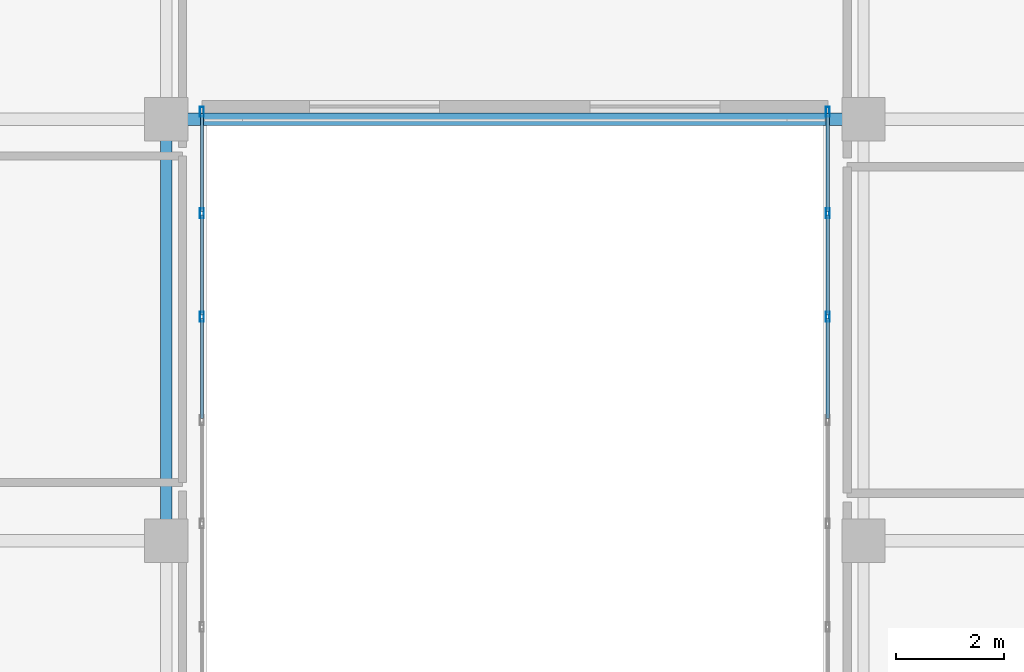
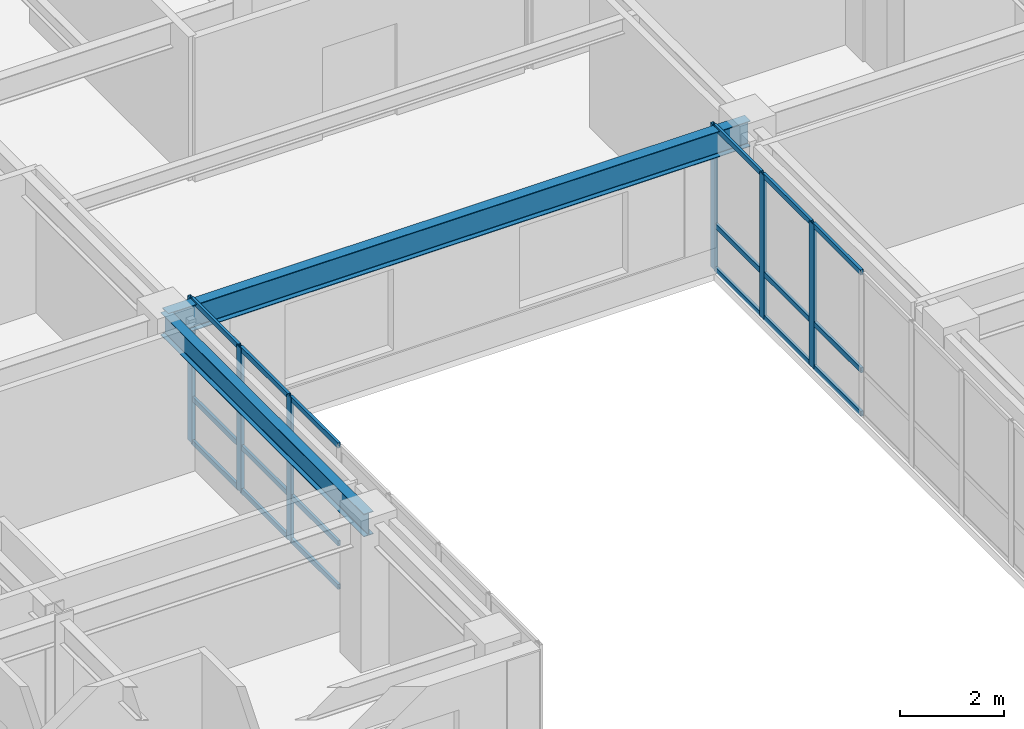
# One storey, part 8 of 28: 24 members, 2 beams, 2 elements without a shape of their own.
"""IFC4 building model written with IfcOpenShell, lengths in metres."""

from ifc_helpers import new_model, si_unit, direction, frame, origin, origin_2d, place, context, subcontext, project, spatial, hollow_rectangle, i_section, extrude, source, transform, mapped, material, layer, layer_set, material_profile, profile_set, type_object, type_shapes, element, aggregate, save


model = new_model("IFC4")

# Units and contexts
model_context = context("Model", 3, precision=1e-05, world=origin(), true_north=direction((0.0, 1.0)))
body_context = subcontext(model_context, "Body", "Model", "MODEL_VIEW")
ifc_project = project(units=[si_unit("LENGTHUNIT", "METRE"), si_unit("AREAUNIT", "SQUARE_METRE"), si_unit("VOLUMEUNIT", "CUBIC_METRE"), si_unit("PLANEANGLEUNIT", "RADIAN"), si_unit("MASSUNIT", "GRAM", prefix="KILO")], contexts=[model_context])

# Site, building, storey
site_placement = place(None, origin())
site = spatial("IfcSite", under=ifc_project, at=site_placement, CompositionType="ELEMENT")
building_placement = place(site_placement, origin())
building = spatial("IfcBuilding", under=site, at=building_placement, Name="Tolvann Quenvar Hotel", CompositionType="ELEMENT")
storey_placement = place(building_placement, frame((0.0, 0.0, 198.199951171875)))
storey = spatial("IfcBuildingStorey", under=building, at=storey_placement, Name="L52", CompositionType="ELEMENT", Elevation=198.199951171875)

# Beams
ifc_material_1 = material(Name="Steel Grade 350", Category="steel")
ifc_material_profile_1 = material_profile(ifc_material_1, i_section(OverallWidth=0.208984375, OverallDepth=0.532958984375, WebThickness=0.01025390625, FlangeThickness=0.015625, FilletRadius=0.013916015625, at=origin_2d()), Name="530UB92")
ifc_profile_set_1 = profile_set([ifc_material_profile_1], Name="Steel Grade 350")
beam_type_1 = type_object("IfcBeamType", Name="BM_GIRD_530UB92", PredefinedType="BEAM", material=ifc_profile_set_1)
shared_shape_1 = source(origin(), body_context, "Body", "SweptSolid", [
    extrude(i_section(OverallWidth=0.208984375, OverallDepth=0.532958984375, WebThickness=0.01025390625, FlangeThickness=0.015625, FilletRadius=0.013916015625, at=origin_2d()), origin(), (0.0, 0.0, 1.0), 7.800048828125),
])
type_shapes(beam_type_1, [shared_shape_1])
beam_1_placement = place(storey_placement, frame((22.050048828125, 8.199951171875, 3.103515625), z_axis=(0.0, 1.0, 0.0), x_axis=(-1.0, 0.0, 0.0)))
element("IfcBeam", 1, at=beam_1_placement, inside=storey, type_object=beam_type_1, Name="BM-L52-NS-E3-E4", PredefinedType="BEAM", context=body_context, shape_type="MappedRepresentation", body=[
    mapped(shared_shape_1, transform((0.0, 0.0, 0.0), x_axis=(1.0, 0.0, 0.0), y_axis=(0.0, 1.0, 0.0), z_axis=(0.0, 0.0, 1.0), scale=1.0)),
])
ifc_material_profile_2 = material_profile(ifc_material_1, i_section(OverallWidth=0.22802734375, OverallDepth=0.60205078125, WebThickness=0.010498046875, FlangeThickness=0.014892578125, FilletRadius=0.013916015625, at=origin_2d()), Name="610UB101")
ifc_profile_set_2 = profile_set([ifc_material_profile_2], Name="Steel Grade 350")
beam_type_2 = type_object("IfcBeamType", Name="BM_GIRD_610UB101", PredefinedType="BEAM", material=ifc_profile_set_2)
shared_shape_2 = source(origin(), body_context, "Body", "SweptSolid", [
    extrude(i_section(OverallWidth=0.22802734375, OverallDepth=0.60205078125, WebThickness=0.010498046875, FlangeThickness=0.014892578125, FilletRadius=0.013916015625, at=origin_2d()), origin(), (0.0, 0.0, 1.0), 12.89990234375),
])
type_shapes(beam_type_2, [shared_shape_2])
beam_2_placement = place(storey_placement, frame((22.050048828125, 16.0, 3.069091796875), z_axis=(1.0, 0.0, 0.0), x_axis=(0.0, 1.0, 0.0)))
element("IfcBeam", 2, at=beam_2_placement, inside=storey, type_object=beam_type_2, Name="BM-L52-EW-4-E4-F4", PredefinedType="BEAM", context=body_context, shape_type="MappedRepresentation", body=[
    mapped(shared_shape_2, transform((0.0, 0.0, 0.0), x_axis=(1.0, 0.0, 0.0), y_axis=(0.0, 1.0, 0.0), z_axis=(0.0, 0.0, 1.0), scale=1.0)),
])

# Curtain wall, members
ifc_material_2 = material(Name="Thermally broken anodised architectural aluminium 6063-T6 and laminated low-E glass", Category="aluminium")
ifc_layer = layer(ifc_material_2, 0.179931640625)
ifc_layer_set = layer_set([ifc_layer], Name="Thermally broken anodised architectural aluminium 6063-T6 and laminated low-E glass")
curtain_wall_type = type_object("IfcCurtainWallType", Name="CW_SYS_SLOT_03", PredefinedType="USERDEFINED", material=ifc_layer_set)
curtain_wall_1_placement = place(storey_placement, origin())
curtain_wall_1 = element("IfcCurtainWall", 3, at=curtain_wall_1_placement, inside=storey, type_object=curtain_wall_type, Name="Curtain Wall CW-SLOT-03 (CWR-L52-E05)", ObjectType="UNITISED CURTAIN WALL", PredefinedType="USERDEFINED")
ifc_material_3 = material(Name="Anodised architectural aluminium 6063-T6 framing", Category="aluminium")
ifc_material_profile_3 = material_profile(ifc_material_3, hollow_rectangle(XDim=0.070068359375, YDim=0.179931640625, WallThickness=0.00390625, at=origin_2d()), Name="180x70x4RHS")
ifc_profile_set_3 = profile_set([ifc_material_profile_3], Name="Anodised architectural aluminium 6063-T6 framing")
member_type_1 = type_object("IfcMemberType", Name="CW_MULL_180x70", PredefinedType="MULLION", material=ifc_profile_set_3)
shared_shape_3 = source(origin(), body_context, "Body", "SweptSolid", [
    extrude(hollow_rectangle(XDim=0.070068359375, YDim=0.179931640625, WallThickness=0.00390625, at=origin_2d()), origin(), (0.0, 0.0, 1.0), 3.3701171875),
])
type_shapes(member_type_1, [shared_shape_3])
member_1_placement = place(storey_placement, frame((22.7099609375, 12.346435546875, 0.0), z_axis=(0.0, 0.0, 1.0), x_axis=(-1.0, 0.0, 0.0)))
member_1 = element("IfcMember", 4, at=member_1_placement, type_object=member_type_1, Name="CW-SLOT-03 mullion 6", PredefinedType="MULLION", context=body_context, shape_type="MappedRepresentation", body=[
    mapped(shared_shape_3, transform((0.0, 0.0, 0.0), x_axis=(1.0, 0.0, 0.0), y_axis=(0.0, 1.0, 0.0), z_axis=(0.0, 0.0, 1.0), scale=1.0)),
])
member_2_placement = place(storey_placement, frame((22.7099609375, 14.2607421875, 0.0), z_axis=(0.0, 0.0, 1.0), x_axis=(-1.0, 0.0, 0.0)))
member_2 = element("IfcMember", 5, at=member_2_placement, type_object=member_type_1, Name="CW-SLOT-03 mullion 7", PredefinedType="MULLION", context=body_context, shape_type="MappedRepresentation", body=[
    mapped(shared_shape_3, transform((0.0, 0.0, 0.0), x_axis=(1.0, 0.0, 0.0), y_axis=(0.0, 1.0, 0.0), z_axis=(0.0, 0.0, 1.0), scale=1.0)),
])
member_3_placement = place(storey_placement, frame((22.7099609375, 16.139892578125, 0.0), z_axis=(0.0, 0.0, 1.0), x_axis=(-1.0, 0.0, 0.0)))
member_3 = element("IfcMember", 6, at=member_3_placement, type_object=member_type_1, Name="CW-SLOT-03 mullion 8", PredefinedType="MULLION", context=body_context, shape_type="MappedRepresentation", body=[
    mapped(shared_shape_3, transform((0.0, 0.0, 0.0), x_axis=(1.0, 0.0, 0.0), y_axis=(0.0, 1.0, 0.0), z_axis=(0.0, 0.0, 1.0), scale=1.0)),
])

curtain_wall_2_placement = place(storey_placement, origin())
curtain_wall_2 = element("IfcCurtainWall", 7, at=curtain_wall_2_placement, inside=storey, type_object=curtain_wall_type, Name="Curtain Wall CW-SLOT-03 (CWR-L52-E07)", ObjectType="UNITISED CURTAIN WALL", PredefinedType="USERDEFINED")
member_4_placement = place(storey_placement, frame((34.2900390625, 16.139892578125, 0.0), z_axis=(0.0, 0.0, 1.0), x_axis=(1.0, 0.0, 0.0)))
member_4 = element("IfcMember", 8, at=member_4_placement, type_object=member_type_1, Name="CW-SLOT-03 mullion 1", PredefinedType="MULLION", context=body_context, shape_type="MappedRepresentation", body=[
    mapped(shared_shape_3, transform((0.0, 0.0, 0.0), x_axis=(1.0, 0.0, 0.0), y_axis=(0.0, 1.0, 0.0), z_axis=(0.0, 0.0, 1.0), scale=1.0)),
])
member_5_placement = place(storey_placement, frame((34.2900390625, 14.2607421875, 0.0), z_axis=(0.0, 0.0, 1.0), x_axis=(1.0, 0.0, 0.0)))
member_5 = element("IfcMember", 9, at=member_5_placement, type_object=member_type_1, Name="CW-SLOT-03 mullion 2", PredefinedType="MULLION", context=body_context, shape_type="MappedRepresentation", body=[
    mapped(shared_shape_3, transform((0.0, 0.0, 0.0), x_axis=(1.0, 0.0, 0.0), y_axis=(0.0, 1.0, 0.0), z_axis=(0.0, 0.0, 1.0), scale=1.0)),
])
member_6_placement = place(storey_placement, frame((34.2900390625, 12.346435546875, 0.0), z_axis=(0.0, 0.0, 1.0), x_axis=(1.0, 0.0, 0.0)))
member_6 = element("IfcMember", 10, at=member_6_placement, type_object=member_type_1, Name="CW-SLOT-03 mullion 3", PredefinedType="MULLION", context=body_context, shape_type="MappedRepresentation", body=[
    mapped(shared_shape_3, transform((0.0, 0.0, 0.0), x_axis=(1.0, 0.0, 0.0), y_axis=(0.0, 1.0, 0.0), z_axis=(0.0, 0.0, 1.0), scale=1.0)),
])

# Member
ifc_material_profile_4 = material_profile(ifc_material_3, hollow_rectangle(XDim=0.06005859375, YDim=0.1201171875, WallThickness=0.00341796875, at=origin_2d()), Name="120x60x3.5RHS")
ifc_profile_set_4 = profile_set([ifc_material_profile_4], Name="Anodised architectural aluminium 6063-T6 framing")
member_type_2 = type_object("IfcMemberType", Name="CW_TRAN_120x60", PredefinedType="USERDEFINED", material=ifc_profile_set_4)
shared_shape_4 = source(origin(), body_context, "Body", "SweptSolid", [
    extrude(hollow_rectangle(XDim=0.06005859375, YDim=0.1201171875, WallThickness=0.00341796875, at=origin_2d()), origin(), (0.0, 0.0, 1.0), 1.809326171875),
])
member_7_placement = place(storey_placement, frame((22.7099609375, 14.295654296875, 0.030029296875), z_axis=(0.0, 1.0, 0.0), x_axis=(-1.0, 0.0, 0.0)))
member_7 = element("IfcMember", 11, at=member_7_placement, type_object=member_type_2, Name="CW-SLOT-03 transom 7.1", ObjectType="TRANSOM", PredefinedType="USERDEFINED", context=body_context, shape_type="MappedRepresentation", body=[
    mapped(shared_shape_4, transform((0.0, 0.0, 0.0), x_axis=(1.0, 0.0, 0.0), y_axis=(0.0, 1.0, 0.0), z_axis=(0.0, 0.0, 1.0), scale=1.0)),
])

member_8_placement = place(storey_placement, frame((22.7099609375, 14.295654296875, 1.050048828125), z_axis=(0.0, 1.0, 0.0), x_axis=(-1.0, 0.0, 0.0)))
member_8 = element("IfcMember", 12, at=member_8_placement, type_object=member_type_2, Name="CW-SLOT-03 transom 7.2", ObjectType="TRANSOM", PredefinedType="USERDEFINED", context=body_context, shape_type="MappedRepresentation", body=[
    mapped(shared_shape_4, transform((0.0, 0.0, 0.0), x_axis=(1.0, 0.0, 0.0), y_axis=(0.0, 1.0, 0.0), z_axis=(0.0, 0.0, 1.0), scale=1.0)),
])

member_9_placement = place(storey_placement, frame((22.7099609375, 14.295654296875, 3.340087890625), z_axis=(0.0, 1.0, 0.0), x_axis=(-1.0, 0.0, 0.0)))
member_9 = element("IfcMember", 13, at=member_9_placement, type_object=member_type_2, Name="CW-SLOT-03 transom 7.3", ObjectType="TRANSOM", PredefinedType="USERDEFINED", context=body_context, shape_type="MappedRepresentation", body=[
    mapped(shared_shape_4, transform((0.0, 0.0, 0.0), x_axis=(1.0, 0.0, 0.0), y_axis=(0.0, 1.0, 0.0), z_axis=(0.0, 0.0, 1.0), scale=1.0)),
])

member_10_placement = place(storey_placement, frame((34.2900390625, 16.10498046875, 0.030029296875), z_axis=(0.0, -1.0, 0.0), x_axis=(1.0, 0.0, 0.0)))
member_10 = element("IfcMember", 14, at=member_10_placement, type_object=member_type_2, Name="CW-SLOT-03 transom 1.1", ObjectType="TRANSOM", PredefinedType="USERDEFINED", context=body_context, shape_type="MappedRepresentation", body=[
    mapped(shared_shape_4, transform((0.0, 0.0, 0.0), x_axis=(1.0, 0.0, 0.0), y_axis=(0.0, 1.0, 0.0), z_axis=(0.0, 0.0, 1.0), scale=1.0)),
])

member_11_placement = place(storey_placement, frame((34.2900390625, 16.10498046875, 1.050048828125), z_axis=(0.0, -1.0, 0.0), x_axis=(1.0, 0.0, 0.0)))
member_11 = element("IfcMember", 15, at=member_11_placement, type_object=member_type_2, Name="CW-SLOT-03 transom 1.2", ObjectType="TRANSOM", PredefinedType="USERDEFINED", context=body_context, shape_type="MappedRepresentation", body=[
    mapped(shared_shape_4, transform((0.0, 0.0, 0.0), x_axis=(1.0, 0.0, 0.0), y_axis=(0.0, 1.0, 0.0), z_axis=(0.0, 0.0, 1.0), scale=1.0)),
])

member_12_placement = place(storey_placement, frame((34.2900390625, 16.10498046875, 3.340087890625), z_axis=(0.0, -1.0, 0.0), x_axis=(1.0, 0.0, 0.0)))
member_12 = element("IfcMember", 16, at=member_12_placement, type_object=member_type_2, Name="CW-SLOT-03 transom 1.3", ObjectType="TRANSOM", PredefinedType="USERDEFINED", context=body_context, shape_type="MappedRepresentation", body=[
    mapped(shared_shape_4, transform((0.0, 0.0, 0.0), x_axis=(1.0, 0.0, 0.0), y_axis=(0.0, 1.0, 0.0), z_axis=(0.0, 0.0, 1.0), scale=1.0)),
])

shared_shape_5 = source(origin(), body_context, "Body", "SweptSolid", [
    extrude(hollow_rectangle(XDim=0.06005859375, YDim=0.1201171875, WallThickness=0.00341796875, at=origin_2d()), origin(), (0.0, 0.0, 1.0), 1.844482421875),
])
type_shapes(member_type_2, [shared_shape_4, shared_shape_5])
member_13_placement = place(storey_placement, frame((22.7099609375, 10.467041015625, 0.030029296875), z_axis=(0.0, 1.0, 0.0), x_axis=(-1.0, 0.0, 0.0)))
member_13 = element("IfcMember", 17, at=member_13_placement, type_object=member_type_2, Name="CW-SLOT-03 transom 5.1", ObjectType="TRANSOM", PredefinedType="USERDEFINED", context=body_context, shape_type="MappedRepresentation", body=[
    mapped(shared_shape_5, transform((0.0, 0.0, 0.0), x_axis=(1.0, 0.0, 0.0), y_axis=(0.0, 1.0, 0.0), z_axis=(0.0, 0.0, 1.0), scale=1.0)),
])

member_14_placement = place(storey_placement, frame((22.7099609375, 10.467041015625, 1.050048828125), z_axis=(0.0, 1.0, 0.0), x_axis=(-1.0, 0.0, 0.0)))
member_14 = element("IfcMember", 18, at=member_14_placement, type_object=member_type_2, Name="CW-SLOT-03 transom 5.2", ObjectType="TRANSOM", PredefinedType="USERDEFINED", context=body_context, shape_type="MappedRepresentation", body=[
    mapped(shared_shape_5, transform((0.0, 0.0, 0.0), x_axis=(1.0, 0.0, 0.0), y_axis=(0.0, 1.0, 0.0), z_axis=(0.0, 0.0, 1.0), scale=1.0)),
])

member_15_placement = place(storey_placement, frame((22.7099609375, 10.467041015625, 3.340087890625), z_axis=(0.0, 1.0, 0.0), x_axis=(-1.0, 0.0, 0.0)))
member_15 = element("IfcMember", 19, at=member_15_placement, type_object=member_type_2, Name="CW-SLOT-03 transom 5.3", ObjectType="TRANSOM", PredefinedType="USERDEFINED", context=body_context, shape_type="MappedRepresentation", body=[
    mapped(shared_shape_5, transform((0.0, 0.0, 0.0), x_axis=(1.0, 0.0, 0.0), y_axis=(0.0, 1.0, 0.0), z_axis=(0.0, 0.0, 1.0), scale=1.0)),
])

member_16_placement = place(storey_placement, frame((22.7099609375, 12.38134765625, 0.030029296875), z_axis=(0.0, 1.0, 0.0), x_axis=(-1.0, 0.0, 0.0)))
member_16 = element("IfcMember", 20, at=member_16_placement, type_object=member_type_2, Name="CW-SLOT-03 transom 6.1", ObjectType="TRANSOM", PredefinedType="USERDEFINED", context=body_context, shape_type="MappedRepresentation", body=[
    mapped(shared_shape_5, transform((0.0, 0.0, 0.0), x_axis=(1.0, 0.0, 0.0), y_axis=(0.0, 1.0, 0.0), z_axis=(0.0, 0.0, 1.0), scale=1.0)),
])

member_17_placement = place(storey_placement, frame((22.7099609375, 12.38134765625, 1.050048828125), z_axis=(0.0, 1.0, 0.0), x_axis=(-1.0, 0.0, 0.0)))
member_17 = element("IfcMember", 21, at=member_17_placement, type_object=member_type_2, Name="CW-SLOT-03 transom 6.2", ObjectType="TRANSOM", PredefinedType="USERDEFINED", context=body_context, shape_type="MappedRepresentation", body=[
    mapped(shared_shape_5, transform((0.0, 0.0, 0.0), x_axis=(1.0, 0.0, 0.0), y_axis=(0.0, 1.0, 0.0), z_axis=(0.0, 0.0, 1.0), scale=1.0)),
])

member_18_placement = place(storey_placement, frame((22.7099609375, 12.38134765625, 3.340087890625), z_axis=(0.0, 1.0, 0.0), x_axis=(-1.0, 0.0, 0.0)))
member_18 = element("IfcMember", 22, at=member_18_placement, type_object=member_type_2, Name="CW-SLOT-03 transom 6.3", ObjectType="TRANSOM", PredefinedType="USERDEFINED", context=body_context, shape_type="MappedRepresentation", body=[
    mapped(shared_shape_5, transform((0.0, 0.0, 0.0), x_axis=(1.0, 0.0, 0.0), y_axis=(0.0, 1.0, 0.0), z_axis=(0.0, 0.0, 1.0), scale=1.0)),
])

aggregate(curtain_wall_1, [member_1, member_2, member_3, member_13, member_14, member_15, member_16, member_17, member_18, member_7, member_8, member_9])

member_19_placement = place(storey_placement, frame((34.2900390625, 14.225830078125, 0.030029296875), z_axis=(0.0, -1.0, 0.0), x_axis=(1.0, 0.0, 0.0)))
member_19 = element("IfcMember", 23, at=member_19_placement, type_object=member_type_2, Name="CW-SLOT-03 transom 2.1", ObjectType="TRANSOM", PredefinedType="USERDEFINED", context=body_context, shape_type="MappedRepresentation", body=[
    mapped(shared_shape_5, transform((0.0, 0.0, 0.0), x_axis=(1.0, 0.0, 0.0), y_axis=(0.0, 1.0, 0.0), z_axis=(0.0, 0.0, 1.0), scale=1.0)),
])

member_20_placement = place(storey_placement, frame((34.2900390625, 14.225830078125, 1.050048828125), z_axis=(0.0, -1.0, 0.0), x_axis=(1.0, 0.0, 0.0)))
member_20 = element("IfcMember", 24, at=member_20_placement, type_object=member_type_2, Name="CW-SLOT-03 transom 2.2", ObjectType="TRANSOM", PredefinedType="USERDEFINED", context=body_context, shape_type="MappedRepresentation", body=[
    mapped(shared_shape_5, transform((0.0, 0.0, 0.0), x_axis=(1.0, 0.0, 0.0), y_axis=(0.0, 1.0, 0.0), z_axis=(0.0, 0.0, 1.0), scale=1.0)),
])

member_21_placement = place(storey_placement, frame((34.2900390625, 14.225830078125, 3.340087890625), z_axis=(0.0, -1.0, 0.0), x_axis=(1.0, 0.0, 0.0)))
member_21 = element("IfcMember", 25, at=member_21_placement, type_object=member_type_2, Name="CW-SLOT-03 transom 2.3", ObjectType="TRANSOM", PredefinedType="USERDEFINED", context=body_context, shape_type="MappedRepresentation", body=[
    mapped(shared_shape_5, transform((0.0, 0.0, 0.0), x_axis=(1.0, 0.0, 0.0), y_axis=(0.0, 1.0, 0.0), z_axis=(0.0, 0.0, 1.0), scale=1.0)),
])

member_22_placement = place(storey_placement, frame((34.2900390625, 12.3115234375, 0.030029296875), z_axis=(0.0, -1.0, 0.0), x_axis=(1.0, 0.0, 0.0)))
member_22 = element("IfcMember", 26, at=member_22_placement, type_object=member_type_2, Name="CW-SLOT-03 transom 3.1", ObjectType="TRANSOM", PredefinedType="USERDEFINED", context=body_context, shape_type="MappedRepresentation", body=[
    mapped(shared_shape_5, transform((0.0, 0.0, 0.0), x_axis=(1.0, 0.0, 0.0), y_axis=(0.0, 1.0, 0.0), z_axis=(0.0, 0.0, 1.0), scale=1.0)),
])

member_23_placement = place(storey_placement, frame((34.2900390625, 12.3115234375, 1.050048828125), z_axis=(0.0, -1.0, 0.0), x_axis=(1.0, 0.0, 0.0)))
member_23 = element("IfcMember", 27, at=member_23_placement, type_object=member_type_2, Name="CW-SLOT-03 transom 3.2", ObjectType="TRANSOM", PredefinedType="USERDEFINED", context=body_context, shape_type="MappedRepresentation", body=[
    mapped(shared_shape_5, transform((0.0, 0.0, 0.0), x_axis=(1.0, 0.0, 0.0), y_axis=(0.0, 1.0, 0.0), z_axis=(0.0, 0.0, 1.0), scale=1.0)),
])

member_24_placement = place(storey_placement, frame((34.2900390625, 12.3115234375, 3.340087890625), z_axis=(0.0, -1.0, 0.0), x_axis=(1.0, 0.0, 0.0)))
member_24 = element("IfcMember", 28, at=member_24_placement, type_object=member_type_2, Name="CW-SLOT-03 transom 3.3", ObjectType="TRANSOM", PredefinedType="USERDEFINED", context=body_context, shape_type="MappedRepresentation", body=[
    mapped(shared_shape_5, transform((0.0, 0.0, 0.0), x_axis=(1.0, 0.0, 0.0), y_axis=(0.0, 1.0, 0.0), z_axis=(0.0, 0.0, 1.0), scale=1.0)),
])

aggregate(curtain_wall_2, [member_4, member_5, member_6, member_10, member_11, member_12, member_19, member_20, member_21, member_22, member_23, member_24])

save(model, "model.ifc")
